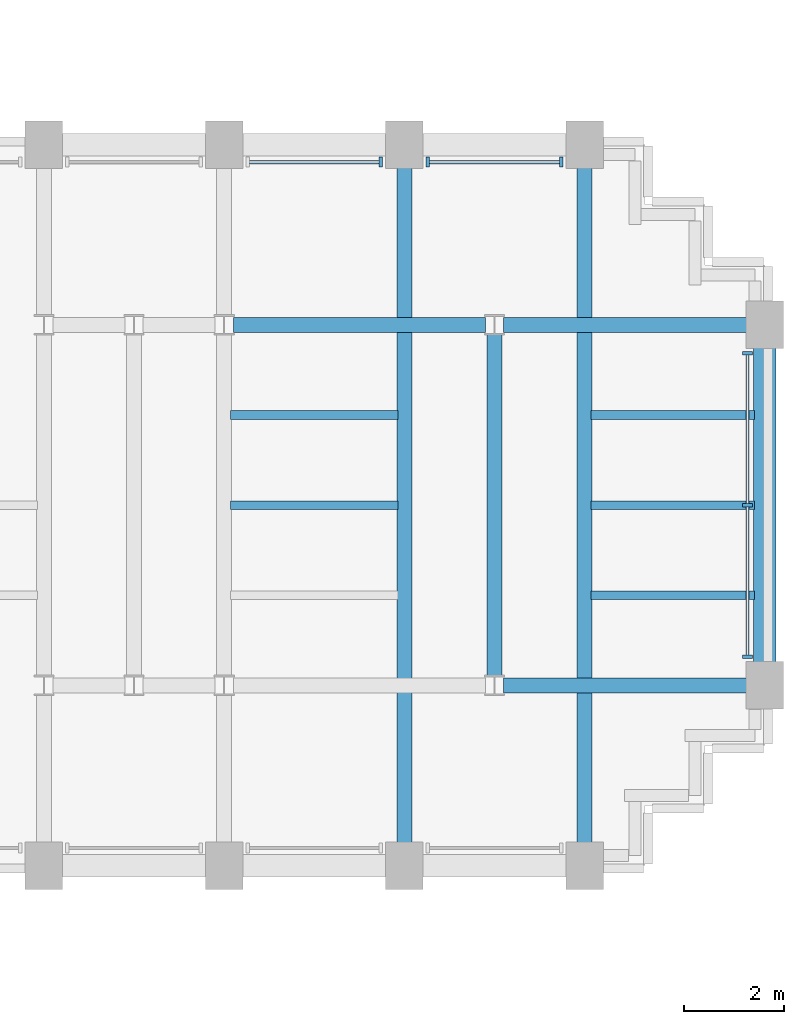
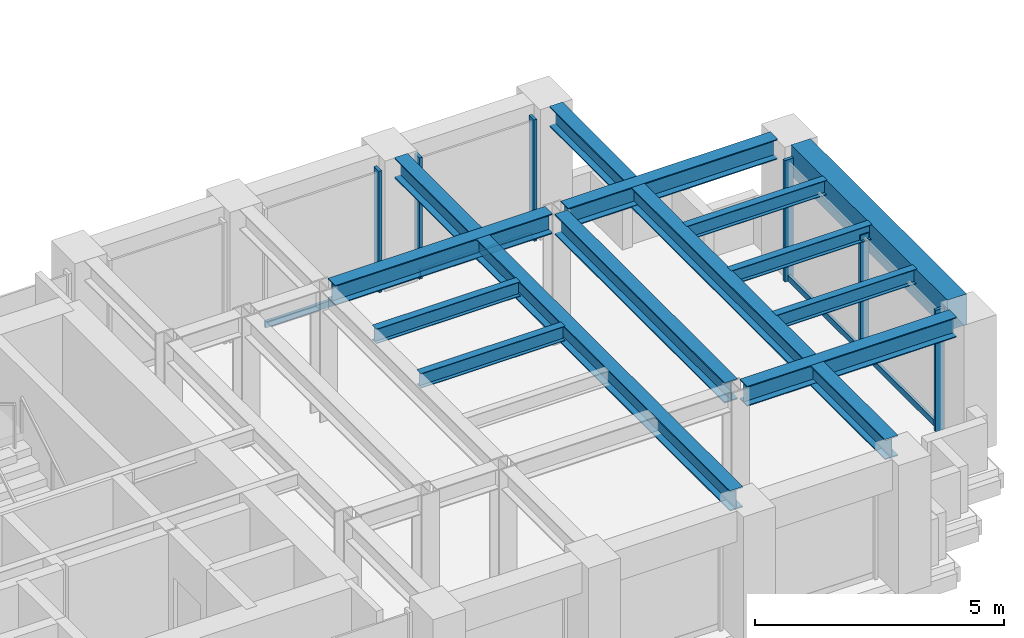
# One storey, part 6 of 16: 12 beams, 10 members, 3 elements without a shape of their own.
"""IFC4 building model written with IfcOpenShell, lengths in metres."""

from ifc_helpers import new_model, si_unit, direction, frame, origin, origin_2d, place, context, subcontext, project, spatial, rectangle, i_section, extrude, source, transform, mapped, material, material_profile, profile_set, type_object, element, aggregate, save


model = new_model("IFC4")

# Units and contexts
model_context = context("Model", 3, precision=1e-05, world=origin(), true_north=direction((0.0, 1.0)))
body_context = subcontext(model_context, "Body", "Model", "MODEL_VIEW")
ifc_project = project(units=[si_unit("LENGTHUNIT", "METRE"), si_unit("AREAUNIT", "SQUARE_METRE"), si_unit("VOLUMEUNIT", "CUBIC_METRE"), si_unit("PLANEANGLEUNIT", "RADIAN"), si_unit("MASSUNIT", "GRAM", prefix="KILO")], contexts=[model_context])

# Site, building, storey
site_placement = place(None, origin())
site = spatial("IfcSite", under=ifc_project, at=site_placement, CompositionType="ELEMENT")
building_placement = place(site_placement, origin())
building = spatial("IfcBuilding", under=site, at=building_placement, Name="Keilestroom Media Tower", CompositionType="ELEMENT")
storey_placement = place(building_placement, frame((0.0, 0.0, 61.199951171875)))
storey = spatial("IfcBuildingStorey", under=building, at=storey_placement, Name="L15", CompositionType="ELEMENT", Elevation=61.199951171875)

# Beams
ifc_material_1 = material(Name="Precast concrete C40/50", Category="concrete")
ifc_material_profile_1 = material_profile(ifc_material_1, rectangle(XDim=0.449951171875, YDim=0.75, at=origin_2d()), Name="PC 450x750")
ifc_profile_set_1 = profile_set([ifc_material_profile_1], Name="Precast concrete C40/50")
beam_type_1 = type_object("IfcBeamType", Name="Perimeter-Spandrel-Beam-PC-450x750", PredefinedType="SPANDREL", material=ifc_profile_set_1)
shared_shape_1 = source(origin(), body_context, "Body", "SweptSolid", [
    extrude(rectangle(XDim=0.449951171875, YDim=0.75, at=origin_2d()), origin(), (0.0, 0.0, 1.0), 6.2900390625),
])
beam_1_placement = place(storey_placement, frame((28.800048828125, -3.14501953125, 2.824951171875), z_axis=(0.0, 1.0, 0.0), x_axis=(-1.0, 0.0, 0.0)))
element("IfcBeam", 1, at=beam_1_placement, inside=storey, type_object=beam_type_1, Name="L15 Beam SPB-1 BM-L15-NS-086", PredefinedType="SPANDREL", context=body_context, shape_type="MappedRepresentation", body=[
    mapped(shared_shape_1, transform((0.0, 0.0, 0.0), x_axis=(1.0, 0.0, 0.0), y_axis=(0.0, 1.0, 0.0), z_axis=(0.0, 0.0, 1.0), scale=1.0)),
])
ifc_material_2 = material(Name="Steel S355", Category="steel")
ifc_material_profile_2 = material_profile(ifc_material_2, i_section(OverallWidth=0.300048828125, OverallDepth=0.5, WebThickness=0.012451171875, FlangeThickness=0.028076171875, at=origin_2d()), Name="HEB 500")
ifc_profile_set_2 = profile_set([ifc_material_profile_2], Name="Steel S355")
beam_type_2 = type_object("IfcBeamType", Name="Primary-Structural-Girder-HEB-500", PredefinedType="BEAM", material=ifc_profile_set_2)
shared_shape_2 = source(origin(), body_context, "Body", "SweptSolid", [
    extrude(i_section(OverallWidth=0.300048828125, OverallDepth=0.5, WebThickness=0.012451171875, FlangeThickness=0.028076171875, at=origin_2d()), origin(), (0.0, 0.0, 1.0), 13.490234375),
])
for number, where, z_axis, x_axis, name in (
    (2, (21.60009765625, -6.7451171875, 2.949951171875), (0.0, 1.0, 0.0), (-1.0, 0.0, 0.0), "L15 Beam BG-6 BM-L15-NS-083"),
    (3, (25.199951171875, -6.7451171875, 2.949951171875), (0.0, 1.0, 0.0), (-1.0, 0.0, 0.0), "L15 Beam BG-6 BM-L15-NS-085"),
):
    element("IfcBeam", number, at=place(storey_placement, frame(where, z_axis=z_axis, x_axis=x_axis)), inside=storey, type_object=beam_type_2, Name=name, PredefinedType="BEAM", context=body_context, shape_type="MappedRepresentation", body=[
        mapped(shared_shape_2, transform((0.0, 0.0, 0.0), x_axis=(1.0, 0.0, 0.0), y_axis=(0.0, 1.0, 0.0), z_axis=(0.0, 0.0, 1.0), scale=1.0)),
    ])
shared_shape_3 = source(origin(), body_context, "Body", "SweptSolid", [
    extrude(i_section(OverallWidth=0.300048828125, OverallDepth=0.5, WebThickness=0.012451171875, FlangeThickness=0.028076171875, at=origin_2d()), origin(), (0.0, 0.0, 1.0), 6.8330078125),
])
beam_2_placement = place(storey_placement, frame((23.39990234375, -3.41650390625, 2.949951171875), z_axis=(0.0, 1.0, 0.0), x_axis=(-1.0, 0.0, 0.0)))
element("IfcBeam", 4, at=beam_2_placement, inside=storey, type_object=beam_type_2, Name="L15 Beam BG-6 BM-L15-NS-084", PredefinedType="BEAM", context=body_context, shape_type="MappedRepresentation", body=[
    mapped(shared_shape_3, transform((0.0, 0.0, 0.0), x_axis=(1.0, 0.0, 0.0), y_axis=(0.0, 1.0, 0.0), z_axis=(0.0, 0.0, 1.0), scale=1.0)),
])
ifc_material_profile_3 = material_profile(ifc_material_2, i_section(OverallWidth=0.300048828125, OverallDepth=0.489990234375, WebThickness=0.011962890625, FlangeThickness=0.02294921875, at=origin_2d()), Name="HEA 500")
ifc_profile_set_3 = profile_set([ifc_material_profile_3], Name="Steel S355")
beam_type_3 = type_object("IfcBeamType", Name="Primary-Structural-Girder-HEA-500", PredefinedType="BEAM", material=ifc_profile_set_3)
shared_shape_4 = source(origin(), body_context, "Body", "SweptSolid", [
    extrude(i_section(OverallWidth=0.300048828125, OverallDepth=0.489990234375, WebThickness=0.011962890625, FlangeThickness=0.02294921875, at=origin_2d()), origin(), (0.0, 0.0, 1.0), 4.863037109375),
])
for number, where, z_axis, x_axis, name in (
    (5, (23.58203125, -3.60009765625, 2.955078125), (1.0, 0.0, 0.0), (0.0, 1.0, 0.0), "L15 Beam BG-10 BM-L15-EW-025"),
    (6, (23.58203125, 3.60009765625, 2.955078125), (1.0, 0.0, 0.0), (0.0, 1.0, 0.0), "L15 Beam BG-10 BM-L15-EW-033"),
):
    element("IfcBeam", number, at=place(storey_placement, frame(where, z_axis=z_axis, x_axis=x_axis)), inside=storey, type_object=beam_type_3, Name=name, PredefinedType="BEAM", context=body_context, shape_type="MappedRepresentation", body=[
        mapped(shared_shape_4, transform((0.0, 0.0, 0.0), x_axis=(1.0, 0.0, 0.0), y_axis=(0.0, 1.0, 0.0), z_axis=(0.0, 0.0, 1.0), scale=1.0)),
    ])
shared_shape_5 = source(origin(), body_context, "Body", "SweptSolid", [
    extrude(i_section(OverallWidth=0.300048828125, OverallDepth=0.489990234375, WebThickness=0.011962890625, FlangeThickness=0.02294921875, at=origin_2d()), origin(), (0.0, 0.0, 1.0), 5.0361328125),
])
beam_3_placement = place(storey_placement, frame((18.181884765625, 3.60009765625, 2.955078125), z_axis=(1.0, 0.0, 0.0), x_axis=(0.0, 1.0, 0.0)))
element("IfcBeam", 7, at=beam_3_placement, inside=storey, type_object=beam_type_3, Name="L15 Beam BG-10 BM-L15-EW-032", PredefinedType="BEAM", context=body_context, shape_type="MappedRepresentation", body=[
    mapped(shared_shape_5, transform((0.0, 0.0, 0.0), x_axis=(1.0, 0.0, 0.0), y_axis=(0.0, 1.0, 0.0), z_axis=(0.0, 0.0, 1.0), scale=1.0)),
])
ifc_material_profile_4 = material_profile(ifc_material_2, i_section(OverallWidth=0.169921875, OverallDepth=0.360107421875, WebThickness=0.008056640625, FlangeThickness=0.0126953125, at=origin_2d()), Name="IPE 360")
ifc_profile_set_4 = profile_set([ifc_material_profile_4], Name="Steel S355")
beam_type_4 = type_object("IfcBeamType", Name="Secondary-Floor-Joist-IPE-360", PredefinedType="JOIST", material=ifc_profile_set_4)
shared_shape_6 = source(origin(), body_context, "Body", "SweptSolid", [
    extrude(i_section(OverallWidth=0.169921875, OverallDepth=0.360107421875, WebThickness=0.008056640625, FlangeThickness=0.0126953125, at=origin_2d()), origin(), (0.0, 0.0, 1.0), 3.264892578125),
])
for number, where, z_axis, x_axis, name in (
    (8, (25.330078125, -1.800048828125, 3.02001953125), (1.0, 0.0, 0.0), (0.0, 1.0, 0.0), "L15 Beam BJ-5 JST-L15-095"),
    (9, (25.330078125, 0.0, 3.02001953125), (1.0, 0.0, 0.0), (0.0, 1.0, 0.0), "L15 Beam BJ-5 JST-L15-102"),
    (10, (25.330078125, 1.800048828125, 3.02001953125), (1.0, 0.0, 0.0), (0.0, 1.0, 0.0), "L15 Beam BJ-5 JST-L15-109"),
):
    element("IfcBeam", number, at=place(storey_placement, frame(where, z_axis=z_axis, x_axis=x_axis)), inside=storey, type_object=beam_type_4, Name=name, PredefinedType="JOIST", context=body_context, shape_type="MappedRepresentation", body=[
        mapped(shared_shape_6, transform((0.0, 0.0, 0.0), x_axis=(1.0, 0.0, 0.0), y_axis=(0.0, 1.0, 0.0), z_axis=(0.0, 0.0, 1.0), scale=1.0)),
    ])
shared_shape_7 = source(origin(), body_context, "Body", "SweptSolid", [
    extrude(i_section(OverallWidth=0.169921875, OverallDepth=0.360107421875, WebThickness=0.008056640625, FlangeThickness=0.0126953125, at=origin_2d()), origin(), (0.0, 0.0, 1.0), 3.340087890625),
])
for number, where, z_axis, x_axis, name in (
    (11, (18.1298828125, 0.0, 3.02001953125), (1.0, 0.0, 0.0), (0.0, 1.0, 0.0), "L15 Beam BJ-5 JST-L15-101"),
    (12, (18.1298828125, 1.800048828125, 3.02001953125), (1.0, 0.0, 0.0), (0.0, 1.0, 0.0), "L15 Beam BJ-5 JST-L15-108"),
):
    element("IfcBeam", number, at=place(storey_placement, frame(where, z_axis=z_axis, x_axis=x_axis)), inside=storey, type_object=beam_type_4, Name=name, PredefinedType="JOIST", context=body_context, shape_type="MappedRepresentation", body=[
        mapped(shared_shape_7, transform((0.0, 0.0, 0.0), x_axis=(1.0, 0.0, 0.0), y_axis=(0.0, 1.0, 0.0), z_axis=(0.0, 0.0, 1.0), scale=1.0)),
    ])

# Curtain wall, members
ifc_material_3 = material(Name="Anodised Aluminium Alloy", Category="aluminium")
curtain_wall_type = type_object("IfcCurtainWallType", Name="Unitised-Curtain-Wall-CW-1", PredefinedType="NOTDEFINED", material=ifc_material_3)
curtain_wall_1_placement = place(storey_placement, origin())
curtain_wall_1 = element("IfcCurtainWall", 13, at=curtain_wall_1_placement, inside=storey, type_object=curtain_wall_type, Name="L15 Curtain Wall CW-1 CW-L15-E-1", PredefinedType="NOTDEFINED")
ifc_material_profile_5 = material_profile(ifc_material_3, rectangle(XDim=0.070068359375, YDim=0.199951171875, at=origin_2d()), Name="ALU MULLION 70x200")
ifc_profile_set_5 = profile_set([ifc_material_profile_5], Name="Anodised Aluminium Alloy")
member_type_1 = type_object("IfcMemberType", Name="Curtain-Wall-Mullion-CW-1", PredefinedType="MULLION", material=ifc_profile_set_5)
shared_shape_8 = source(origin(), body_context, "Body", "SweptSolid", [
    extrude(rectangle(XDim=0.070068359375, YDim=0.199951171875, at=origin_2d()), origin(), (0.0, 0.0, 1.0), 2.97998046875),
])
member_1_placement = place(storey_placement, frame((28.449951171875, -3.030029296875, 0.0), z_axis=(0.0, 0.0, 1.0), x_axis=(0.0, 1.0, 0.0)))
member_1 = element("IfcMember", 14, at=member_1_placement, type_object=member_type_1, Name="CW-1 Mullion 00", PredefinedType="MULLION", context=body_context, shape_type="MappedRepresentation", body=[
    mapped(shared_shape_8, transform((0.0, 0.0, 0.0), x_axis=(1.0, 0.0, 0.0), y_axis=(0.0, 1.0, 0.0), z_axis=(0.0, 0.0, 1.0), scale=1.0)),
])
member_2_placement = place(storey_placement, frame((28.449951171875, 0.0, 0.0), z_axis=(0.0, 0.0, 1.0), x_axis=(0.0, 1.0, 0.0)))
member_2 = element("IfcMember", 15, at=member_2_placement, type_object=member_type_1, Name="CW-1 Mullion 01", PredefinedType="MULLION", context=body_context, shape_type="MappedRepresentation", body=[
    mapped(shared_shape_8, transform((0.0, 0.0, 0.0), x_axis=(1.0, 0.0, 0.0), y_axis=(0.0, 1.0, 0.0), z_axis=(0.0, 0.0, 1.0), scale=1.0)),
])
member_3_placement = place(storey_placement, frame((28.449951171875, 3.030029296875, 0.0), z_axis=(0.0, 0.0, 1.0), x_axis=(0.0, 1.0, 0.0)))
member_3 = element("IfcMember", 16, at=member_3_placement, type_object=member_type_1, Name="CW-1 Mullion 02", PredefinedType="MULLION", context=body_context, shape_type="MappedRepresentation", body=[
    mapped(shared_shape_8, transform((0.0, 0.0, 0.0), x_axis=(1.0, 0.0, 0.0), y_axis=(0.0, 1.0, 0.0), z_axis=(0.0, 0.0, 1.0), scale=1.0)),
])

# Curtain wall, member
curtain_wall_2_placement = place(storey_placement, origin())
curtain_wall_2 = element("IfcCurtainWall", 17, at=curtain_wall_2_placement, inside=storey, type_object=curtain_wall_type, Name="L15 Curtain Wall CW-1 CW-L15-NE-3", PredefinedType="NOTDEFINED")
member_4_placement = place(storey_placement, frame((21.1298828125, 6.85009765625, 0.0), z_axis=(0.0, 0.0, 1.0), x_axis=(1.0, 0.0, 0.0)))
member_4 = element("IfcMember", 18, at=member_4_placement, type_object=member_type_1, Name="CW-1 Mullion 01", PredefinedType="MULLION", context=body_context, shape_type="MappedRepresentation", body=[
    mapped(shared_shape_8, transform((0.0, 0.0, 0.0), x_axis=(1.0, 0.0, 0.0), y_axis=(0.0, 1.0, 0.0), z_axis=(0.0, 0.0, 1.0), scale=1.0)),
])

# Curtain wall, members
curtain_wall_3_placement = place(storey_placement, origin())
curtain_wall_3 = element("IfcCurtainWall", 19, at=curtain_wall_3_placement, inside=storey, type_object=curtain_wall_type, Name="L15 Curtain Wall CW-1 CW-L15-NE-4", PredefinedType="NOTDEFINED")
member_5_placement = place(storey_placement, frame((22.070068359375, 6.85009765625, 0.0), z_axis=(0.0, 0.0, 1.0), x_axis=(1.0, 0.0, 0.0)))
member_5 = element("IfcMember", 20, at=member_5_placement, type_object=member_type_1, Name="CW-1 Mullion 00", PredefinedType="MULLION", context=body_context, shape_type="MappedRepresentation", body=[
    mapped(shared_shape_8, transform((0.0, 0.0, 0.0), x_axis=(1.0, 0.0, 0.0), y_axis=(0.0, 1.0, 0.0), z_axis=(0.0, 0.0, 1.0), scale=1.0)),
])
member_6_placement = place(storey_placement, frame((24.72998046875, 6.85009765625, 0.0), z_axis=(0.0, 0.0, 1.0), x_axis=(1.0, 0.0, 0.0)))
member_6 = element("IfcMember", 21, at=member_6_placement, type_object=member_type_1, Name="CW-1 Mullion 01", PredefinedType="MULLION", context=body_context, shape_type="MappedRepresentation", body=[
    mapped(shared_shape_8, transform((0.0, 0.0, 0.0), x_axis=(1.0, 0.0, 0.0), y_axis=(0.0, 1.0, 0.0), z_axis=(0.0, 0.0, 1.0), scale=1.0)),
])

# Member
ifc_material_profile_6 = material_profile(ifc_material_3, rectangle(XDim=0.06494140625, YDim=0.14990234375, at=origin_2d()), Name="ALU TRANSOM 65x150")
ifc_profile_set_6 = profile_set([ifc_material_profile_6], Name="Anodised Aluminium Alloy")
member_type_2 = type_object("IfcMemberType", Name="Curtain-Wall-Transom-CW-1", PredefinedType="USERDEFINED", material=ifc_profile_set_6)
shared_shape_9 = source(origin(), body_context, "Body", "SweptSolid", [
    extrude(rectangle(XDim=0.06494140625, YDim=0.14990234375, at=origin_2d()), origin(), (0.0, 0.0, 1.0), 2.964111328125),
])
member_7_placement = place(storey_placement, frame((28.449951171875, -2.9970703125, 0.074951171875), z_axis=(0.0, 1.0, 0.0), x_axis=(-1.0, 0.0, 0.0)))
member_7 = element("IfcMember", 22, at=member_7_placement, type_object=member_type_2, Name="CW-1 Transom 00.1", ObjectType="TRANSOM", PredefinedType="USERDEFINED", context=body_context, shape_type="MappedRepresentation", body=[
    mapped(shared_shape_9, transform((0.0, 0.0, 0.0), x_axis=(1.0, 0.0, 0.0), y_axis=(0.0, 1.0, 0.0), z_axis=(0.0, 0.0, 1.0), scale=1.0)),
])

member_8_placement = place(storey_placement, frame((28.449951171875, 0.032958984375, 0.074951171875), z_axis=(0.0, 1.0, 0.0), x_axis=(-1.0, 0.0, 0.0)))
member_8 = element("IfcMember", 23, at=member_8_placement, type_object=member_type_2, Name="CW-1 Transom 01.1", ObjectType="TRANSOM", PredefinedType="USERDEFINED", context=body_context, shape_type="MappedRepresentation", body=[
    mapped(shared_shape_9, transform((0.0, 0.0, 0.0), x_axis=(1.0, 0.0, 0.0), y_axis=(0.0, 1.0, 0.0), z_axis=(0.0, 0.0, 1.0), scale=1.0)),
])

aggregate(curtain_wall_1, [member_1, member_2, member_3, member_7, member_8])

shared_shape_10 = source(origin(), body_context, "Body", "SweptSolid", [
    extrude(rectangle(XDim=0.06494140625, YDim=0.14990234375, at=origin_2d()), origin(), (0.0, 0.0, 1.0), 2.593994140625),
])
member_9_placement = place(storey_placement, frame((18.5029296875, 6.85009765625, 0.074951171875), z_axis=(1.0, 0.0, 0.0), x_axis=(0.0, 1.0, 0.0)))
member_9 = element("IfcMember", 24, at=member_9_placement, type_object=member_type_2, Name="CW-1 Transom 00.1", ObjectType="TRANSOM", PredefinedType="USERDEFINED", context=body_context, shape_type="MappedRepresentation", body=[
    mapped(shared_shape_10, transform((0.0, 0.0, 0.0), x_axis=(1.0, 0.0, 0.0), y_axis=(0.0, 1.0, 0.0), z_axis=(0.0, 0.0, 1.0), scale=1.0)),
])

aggregate(curtain_wall_2, [member_4, member_9])

member_10_placement = place(storey_placement, frame((22.10302734375, 6.85009765625, 0.074951171875), z_axis=(1.0, 0.0, 0.0), x_axis=(0.0, 1.0, 0.0)))
member_10 = element("IfcMember", 25, at=member_10_placement, type_object=member_type_2, Name="CW-1 Transom 00.1", ObjectType="TRANSOM", PredefinedType="USERDEFINED", context=body_context, shape_type="MappedRepresentation", body=[
    mapped(shared_shape_10, transform((0.0, 0.0, 0.0), x_axis=(1.0, 0.0, 0.0), y_axis=(0.0, 1.0, 0.0), z_axis=(0.0, 0.0, 1.0), scale=1.0)),
])

aggregate(curtain_wall_3, [member_5, member_6, member_10])

save(model, "model.ifc")
